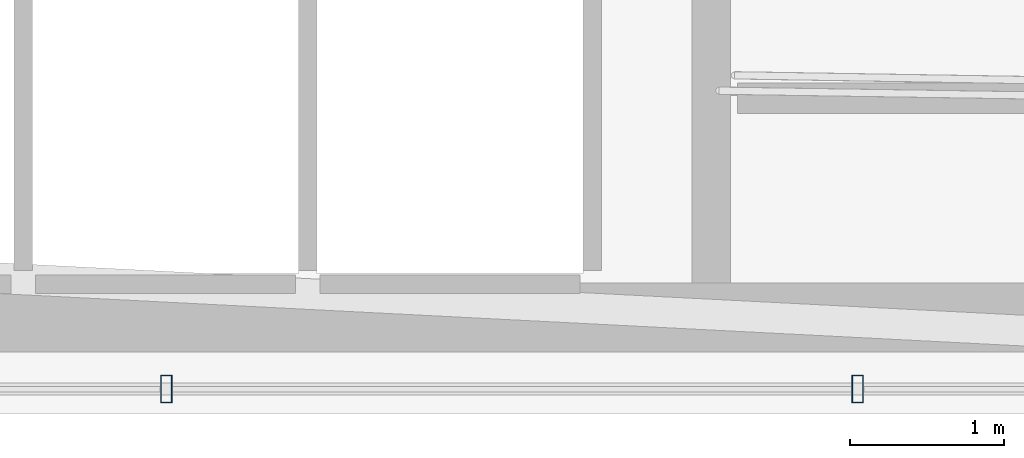
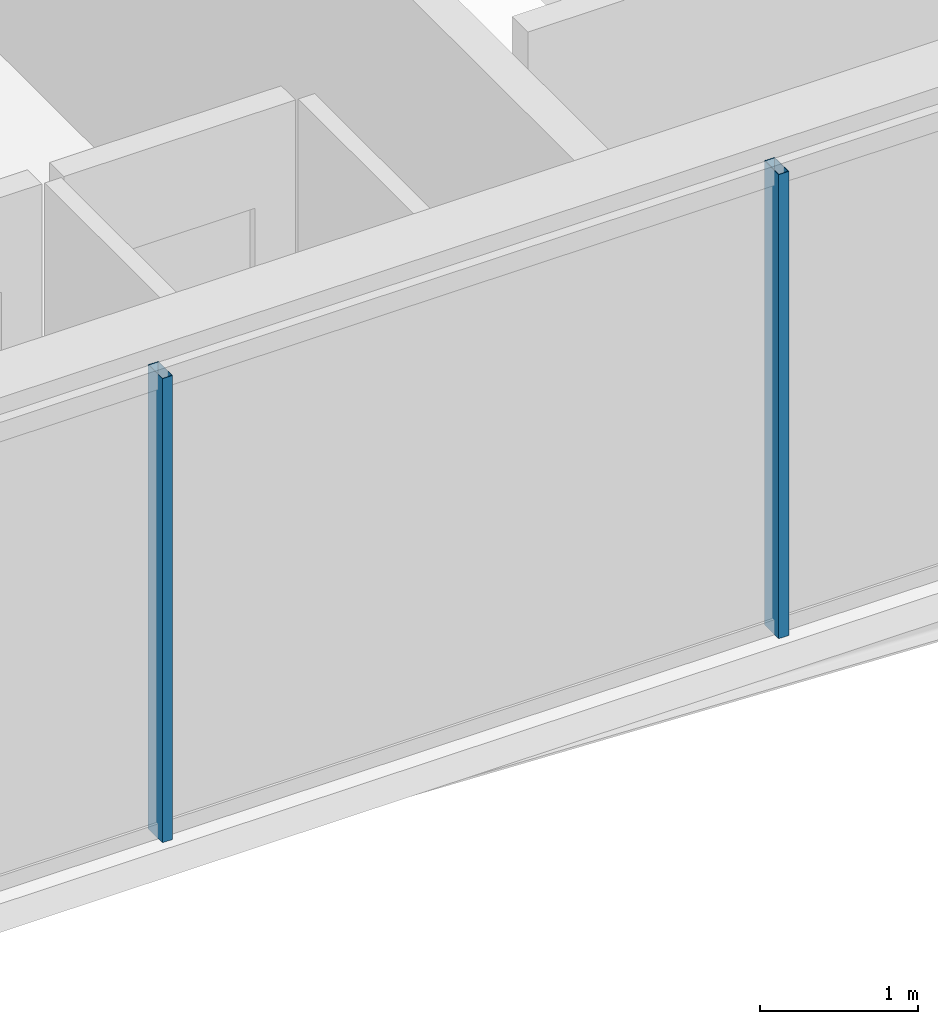
# One storey, part 7 of 32: 2 members, 1 element without a shape of its own.
"""IFC4 building model written with IfcOpenShell, lengths in metres."""

from ifc_helpers import new_model, si_unit, direction, frame, origin, origin_2d, place, context, subcontext, project, spatial, hollow_rectangle, extrude, material, layer, layer_set, material_profile, profile_set, type_object, element, aggregate, save


model = new_model("IFC4")

# Units and contexts
model_context = context("Model", 3, precision=1e-05, world=origin(), true_north=direction((0.0, 1.0)))
body_context = subcontext(model_context, "Body", "Model", "MODEL_VIEW")
ifc_project = project(units=[si_unit("LENGTHUNIT", "METRE"), si_unit("AREAUNIT", "SQUARE_METRE"), si_unit("VOLUMEUNIT", "CUBIC_METRE"), si_unit("PLANEANGLEUNIT", "RADIAN"), si_unit("MASSUNIT", "GRAM", prefix="KILO")], contexts=[model_context])

# Site, building, storey
site_placement = place(None, origin())
site = spatial("IfcSite", under=ifc_project, at=site_placement, CompositionType="ELEMENT")
building_placement = place(site_placement, origin())
building = spatial("IfcBuilding", under=site, at=building_placement, Name="Ndaravel Arena Tower", CompositionType="ELEMENT")
storey_placement = place(building_placement, frame((0.0, 0.0, 62.60009765625)))
storey = spatial("IfcBuildingStorey", under=building, at=storey_placement, Name="L13", CompositionType="ELEMENT", Elevation=62.60009765625)

# Curtain wall, members
ifc_material_1 = material(Name="Aluminium", Category="aluminium")
ifc_layer = layer(ifc_material_1, 0.179931640625)
ifc_layer_set = layer_set([ifc_layer], Name="Aluminium")
curtain_wall_type = type_object("IfcCurtainWallType", Name="CW-SYS-03", PredefinedType="NOTDEFINED", material=ifc_layer_set)
curtain_wall_placement = place(storey_placement, origin())
curtain_wall = element("IfcCurtainWall", 1, at=curtain_wall_placement, inside=storey, type_object=curtain_wall_type, Name="L13 Faceted Crystal Curtain Wall CW-L13-E01", PredefinedType="NOTDEFINED")
ifc_material_2 = material(Name="Aluminium", Category="aluminium")
ifc_material_profile = material_profile(ifc_material_2, hollow_rectangle(XDim=0.074951171875, YDim=0.179931640625, WallThickness=0.00390625, at=origin_2d()), Name="CW MULLION 75x180x4")
ifc_profile_set = profile_set([ifc_material_profile], Name="Aluminium")
member_type = type_object("IfcMemberType", Name="MEM-CW-MUL180", PredefinedType="MULLION", material=ifc_profile_set)
member_1_placement = place(storey_placement, frame((35.25634765625, 5.159912109375, 0.0), z_axis=(0.0, 0.0, 1.0), x_axis=(1.0, 0.0, 0.0)))
member_1 = element("IfcMember", 2, at=member_1_placement, type_object=member_type, Name="CW-L13-E01 Mullion 02", PredefinedType="MULLION", context=body_context, shape_type="SweptSolid", body=[
    extrude(hollow_rectangle(XDim=0.074951171875, YDim=0.179931640625, WallThickness=0.00390625, at=origin_2d()), origin(), (0.0, 0.0, 1.0), 3.579833984375),
])
member_2_placement = place(storey_placement, frame((39.752197265625, 5.159912109375, 0.0), z_axis=(0.0, 0.0, 1.0), x_axis=(1.0, 0.0, 0.0)))
member_2 = element("IfcMember", 3, at=member_2_placement, type_object=member_type, Name="CW-L13-E01 Mullion 03", PredefinedType="MULLION", context=body_context, shape_type="SweptSolid", body=[
    extrude(hollow_rectangle(XDim=0.074951171875, YDim=0.179931640625, WallThickness=0.00390625, at=origin_2d()), origin(), (0.0, 0.0, 1.0), 3.579833984375),
])
aggregate(curtain_wall, [member_1, member_2])

save(model, "model.ifc")
